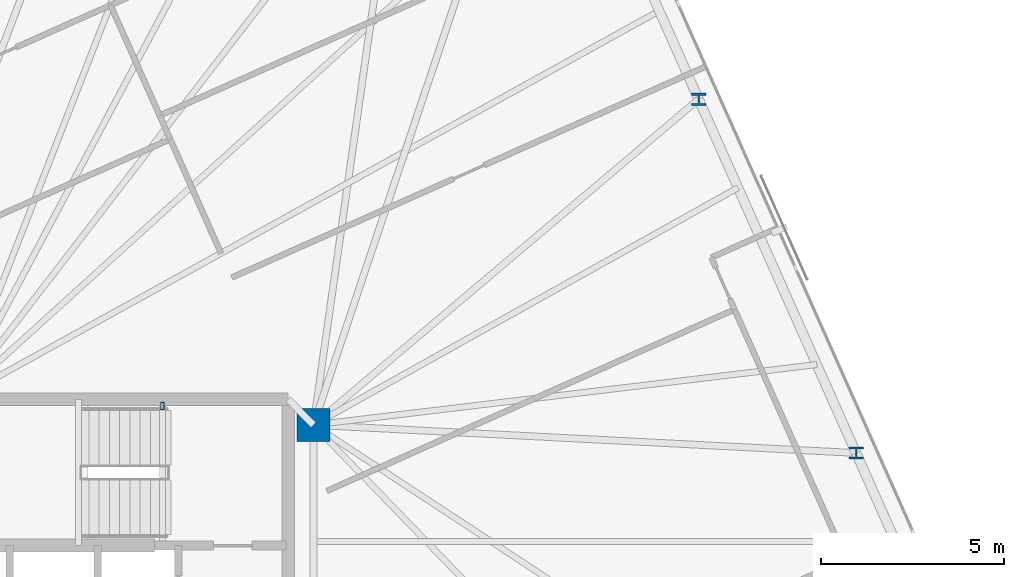
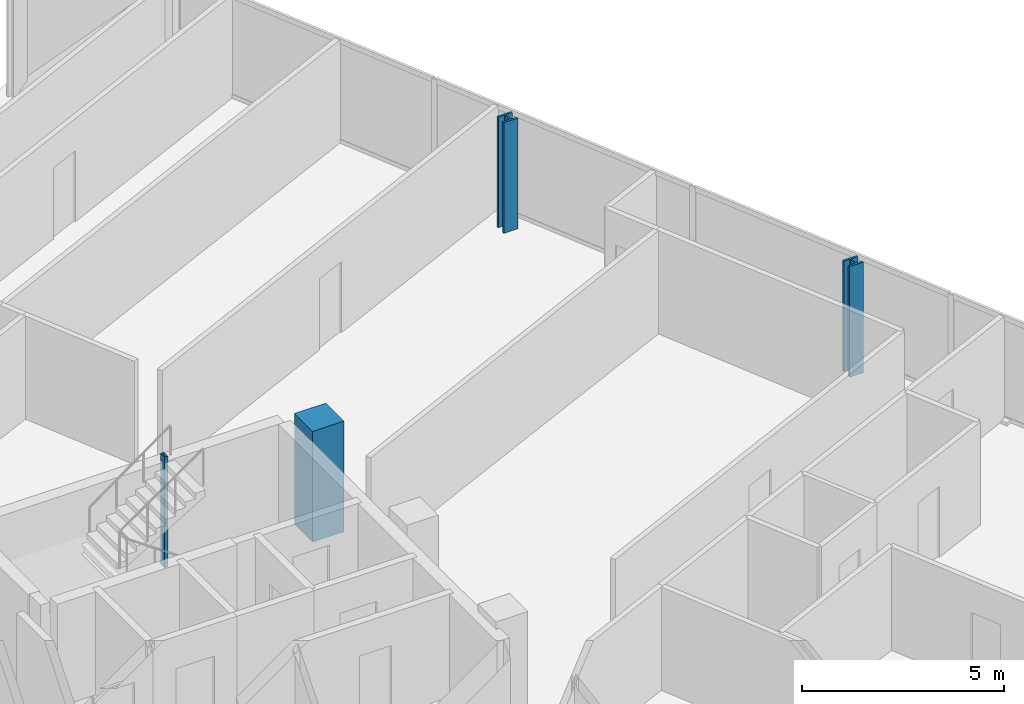
# One storey, part 3 of 19: 4 columns.
"""IFC4 building model written with IfcOpenShell, lengths in metres."""

from ifc_helpers import new_model, si_unit, direction, frame, origin, origin_2d, place, context, subcontext, project, spatial, rectangle, hollow_rectangle, i_section, extrude, material, material_profile, profile_set, type_object, element, save


model = new_model("IFC4")

# Units and contexts
model_context = context("Model", 3, precision=1e-05, world=origin(), true_north=direction((0.0, 1.0)))
body_context = subcontext(model_context, "Body", "Model", "MODEL_VIEW")
ifc_project = project(units=[si_unit("LENGTHUNIT", "METRE"), si_unit("AREAUNIT", "SQUARE_METRE"), si_unit("VOLUMEUNIT", "CUBIC_METRE"), si_unit("PLANEANGLEUNIT", "RADIAN"), si_unit("MASSUNIT", "GRAM", prefix="KILO")], contexts=[model_context])

# Site, building, storey
site_placement = place(None, origin())
site = spatial("IfcSite", under=ifc_project, at=site_placement, CompositionType="ELEMENT")
building_placement = place(site_placement, origin())
building = spatial("IfcBuilding", under=site, at=building_placement, Name="Menara Jurai Vektor", CompositionType="ELEMENT")
storey_placement = place(building_placement, frame((0.0, 0.0, 295.300048828125)))
storey = spatial("IfcBuildingStorey", under=building, at=storey_placement, Name="L79", CompositionType="ELEMENT", Elevation=295.300048828125)

# Columns
ifc_material_1 = material(Name="Concrete C50/60", Category="concrete")
ifc_material_profile_1 = material_profile(ifc_material_1, rectangle(XDim=0.89990234375, YDim=0.89990234375, at=origin_2d()), Name="RC 900x900")
ifc_profile_set_1 = profile_set([ifc_material_profile_1], Name="Concrete C50/60")
column_type_1 = type_object("IfcColumnType", Name="STR-COL-RC900", PredefinedType="COLUMN", material=ifc_profile_set_1)
column_1_placement = place(storey_placement, frame((15.25, 4.89990234375, 0.0), z_axis=(0.0, 0.0, 1.0), x_axis=(1.0, 0.0, 0.0)))
element("IfcColumn", 1, at=column_1_placement, inside=storey, type_object=column_type_1, Name="Core Spine Column CE-NE L79", PredefinedType="COLUMN", context=body_context, shape_type="SweptSolid", body=[
    extrude(rectangle(XDim=0.89990234375, YDim=0.89990234375, at=origin_2d()), origin(), (0.0, 0.0, 1.0), 3.349853515625),
])
ifc_material_2 = material(Name="Steel S355", Category="steel")
ifc_material_profile_2 = material_profile(ifc_material_2, hollow_rectangle(XDim=0.10009765625, YDim=0.199951171875, WallThickness=0.008056640625, at=origin_2d()), Name="RHS 200x100x8")
ifc_profile_set_2 = profile_set([ifc_material_profile_2], Name="Steel S355")
column_type_2 = type_object("IfcColumnType", Name="STR-COL-STAIR", PredefinedType="COLUMN", material=ifc_profile_set_2)
column_2_placement = place(storey_placement, frame((11.1201171875, 5.419921875, 0.0), z_axis=(0.0, 0.0, 1.0), x_axis=(1.0, 0.0, 0.0)))
element("IfcColumn", 2, at=column_2_placement, inside=storey, type_object=column_type_2, Name="Stair Well Header Column ST2-P2 L79", PredefinedType="COLUMN", context=body_context, shape_type="SweptSolid", body=[
    extrude(hollow_rectangle(XDim=0.10009765625, YDim=0.199951171875, WallThickness=0.008056640625, at=origin_2d()), origin(), (0.0, 0.0, 1.0), 3.349853515625),
])
ifc_material_3 = material(Name="Steel S460", Category="steel")
ifc_material_profile_3 = material_profile(ifc_material_3, i_section(OverallWidth=0.40087890625, OverallDepth=0.3349609375, WebThickness=0.035888671875, FlangeThickness=0.05810546875, FilletRadius=0.014892578125, at=origin_2d()), Name="HD 400x463")
ifc_profile_set_3 = profile_set([ifc_material_profile_3], Name="Steel S460")
column_type_3 = type_object("IfcColumnType", Name="STR-EXO-BLK5", PredefinedType="COLUMN", material=ifc_profile_set_3)
for number, where, z_axis, x_axis, name in (
    (3, (30.086181640625, 4.13330078125, 0.0), (0.0, 0.0, 1.0), (1.0, 0.0, 0.0), "Exoskeleton Column BLK5-E2 L79"),
    (4, (25.781005859375, 13.80322265625, 0.0), (0.0, 0.0, 1.0), (1.0, 0.0, 0.0), "Exoskeleton Column BLK5-E3 L79"),
):
    element("IfcColumn", number, at=place(storey_placement, frame(where, z_axis=z_axis, x_axis=x_axis)), inside=storey, type_object=column_type_3, Name=name, PredefinedType="COLUMN", context=body_context, shape_type="SweptSolid", body=[
        extrude(i_section(OverallWidth=0.40087890625, OverallDepth=0.3349609375, WebThickness=0.035888671875, FlangeThickness=0.05810546875, FilletRadius=0.014892578125, at=origin_2d()), origin(), (0.0, 0.0, 1.0), 3.349853515625),
    ])

save(model, "model.ifc")
